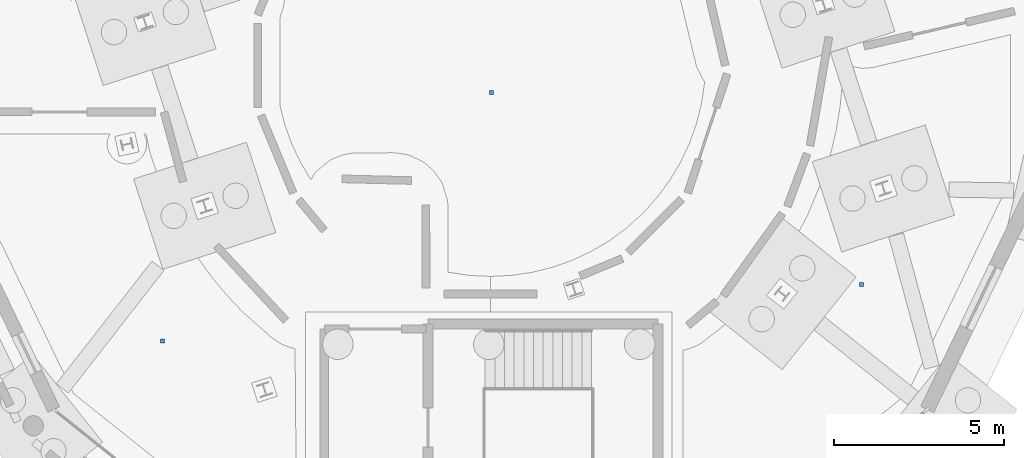
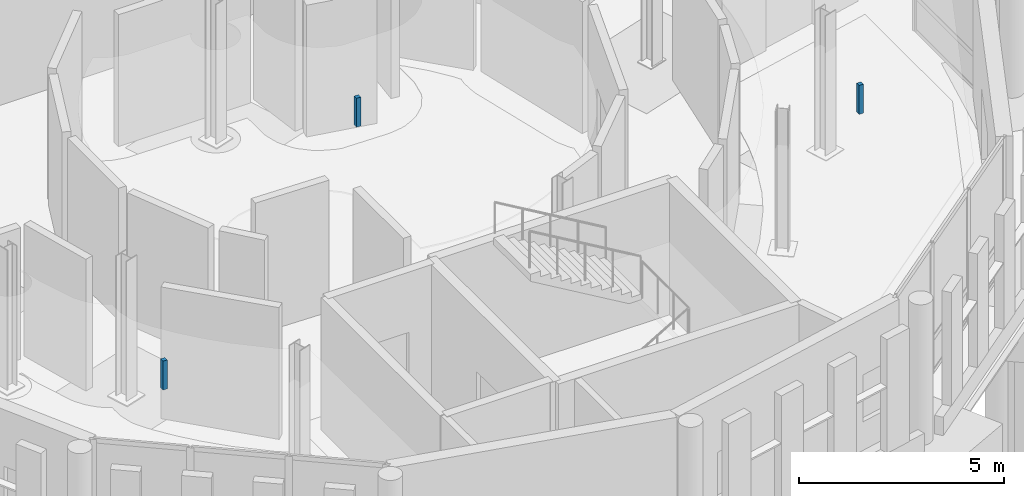
# One storey, part 98 of 113: 3 discrete accessories.
"""IFC4 building model written with IfcOpenShell, lengths in metres."""

from ifc_helpers import new_model, si_unit, direction, frame, origin, origin_2d, place, context, subcontext, project, spatial, rectangle, extrude, material, type_object, element, save


model = new_model("IFC4")

# Units and contexts
model_context = context("Model", 3, precision=1e-05, world=origin(), true_north=direction((0.0, 1.0)))
body_context = subcontext(model_context, "Body", "Model", "MODEL_VIEW")
ifc_project = project(units=[si_unit("LENGTHUNIT", "METRE"), si_unit("AREAUNIT", "SQUARE_METRE"), si_unit("VOLUMEUNIT", "CUBIC_METRE"), si_unit("PLANEANGLEUNIT", "RADIAN"), si_unit("MASSUNIT", "GRAM", prefix="KILO")], contexts=[model_context])

# Site, building, storey
site_placement = place(None, origin())
site = spatial("IfcSite", under=ifc_project, at=site_placement, CompositionType="ELEMENT")
building_placement = place(site_placement, origin())
building = spatial("IfcBuilding", under=site, at=building_placement, Name="Wrenclough Park School", CompositionType="ELEMENT")
storey_placement = place(building_placement, origin())
storey = spatial("IfcBuildingStorey", under=building, at=storey_placement, Name="L00", CompositionType="ELEMENT", Elevation=0.0)

# Discrete accessories
ifc_material = material(Name="Galvanised steel acoustic ceiling suspension hanger", Category="steel")
discrete_accessory_type = type_object("IfcDiscreteAccessoryType", Name="INT-BRK-HGR", PredefinedType="BRACKET", material=ifc_material)
for number, where, z_axis, x_axis, name in (
    (1, (26.8291015625, 15.2421875, 3.08984375), (0.0, 0.0, 1.0), (1.0, 0.0, 0.0), "Acoustic ceiling hanger bracket 0005"),
    (2, (47.440185546875, 16.908935546875, 3.08984375), (0.0, 0.0, 1.0), (1.0, 0.0, 0.0), "Acoustic ceiling hanger bracket 0006"),
    (3, (36.52880859375, 22.577392578125, 3.08984375), (0.0, 0.0, 1.0), (1.0, 0.0, 0.0), "Acoustic ceiling hanger bracket 0007"),
):
    element("IfcDiscreteAccessory", number, at=place(storey_placement, frame(where, z_axis=z_axis, x_axis=x_axis)), inside=storey, type_object=discrete_accessory_type, Name=name, PredefinedType="BRACKET", context=body_context, shape_type="SweptSolid", body=[
        extrude(rectangle(XDim=0.1201171875, YDim=0.1201171875, at=origin_2d()), origin(), (0.0, 0.0, 1.0), 0.864990234375),
    ])

save(model, "model.ifc")
